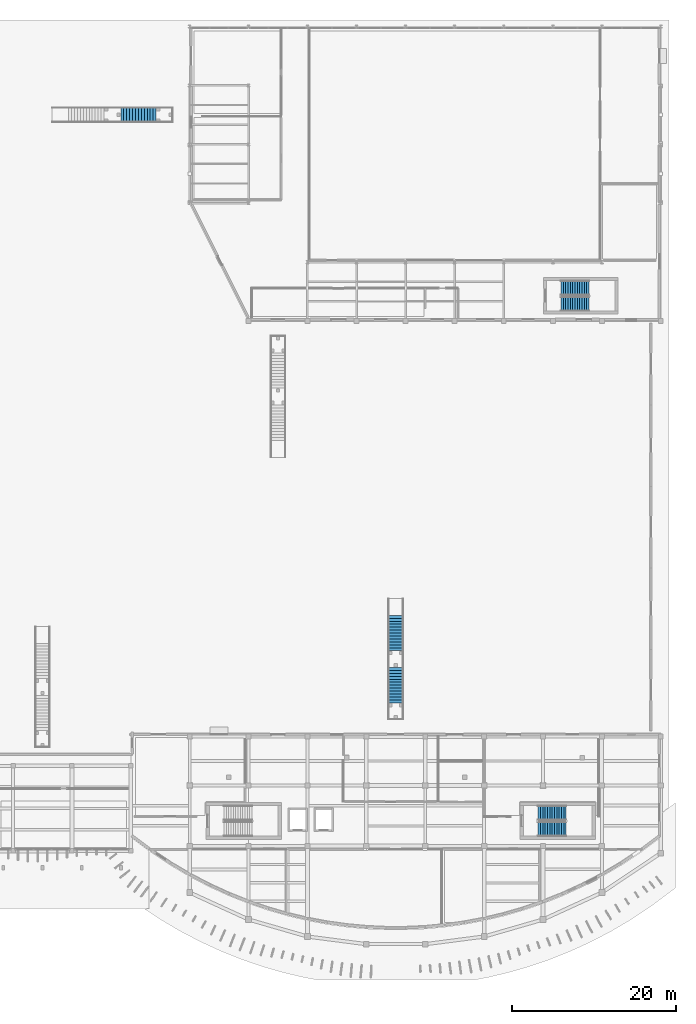
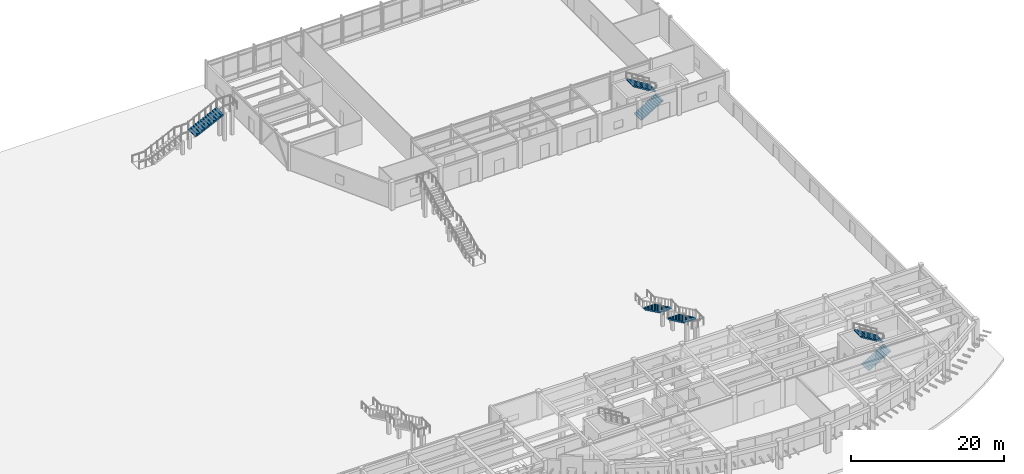
# One storey, part 40 of 58: 7 stair flights, 4 elements without a shape of their own.
"""IFC4 building model written with IfcOpenShell, lengths in metres."""

from ifc_helpers import new_model, si_unit, direction, frame, origin, place, context, subcontext, project, spatial, polyline, outline, extrude, material, type_object, element, aggregate, save


model = new_model("IFC4")

# Units and contexts
model_context = context("Model", 3, precision=1e-05, world=origin(), true_north=direction((0.0, 1.0)))
body_context = subcontext(model_context, "Body", "Model", "MODEL_VIEW")
ifc_project = project(units=[si_unit("LENGTHUNIT", "METRE"), si_unit("AREAUNIT", "SQUARE_METRE"), si_unit("VOLUMEUNIT", "CUBIC_METRE"), si_unit("PLANEANGLEUNIT", "RADIAN"), si_unit("MASSUNIT", "GRAM", prefix="KILO")], contexts=[model_context])

# Site, building, storey
site_placement = place(None, origin())
site = spatial("IfcSite", under=ifc_project, at=site_placement, CompositionType="ELEMENT")
building_placement = place(site_placement, origin())
building = spatial("IfcBuilding", under=site, at=building_placement, Name="Brisavento Harbour Community Centre", CompositionType="ELEMENT")
storey_placement = place(building_placement, origin())
storey = spatial("IfcBuildingStorey", under=building, at=storey_placement, Name="L00", CompositionType="ELEMENT", Elevation=0.0)

# Stair, stair flights
ifc_material_1 = material(Name="Concrete C35/45", Category="concrete")
stair_type_1 = type_object("IfcStairType", Name="STR-DL-4500", PredefinedType="HALF_TURN_STAIR", material=ifc_material_1)
stair_1_placement = place(storey_placement, origin())
stair_1 = element("IfcStair", 1, at=stair_1_placement, inside=storey, type_object=stair_type_1, Name="L00 ST-05", PredefinedType="HALF_TURN_STAIR")
stair_flight_type_1 = type_object("IfcStairFlightType", Name="FLT-DL-4500", PredefinedType="STRAIGHT", material=ifc_material_1)
stair_flight_1_placement = place(storey_placement, frame((157.800048828125, 17.10009765625, 0.0), z_axis=(0.0, 0.0, 1.0), x_axis=(1.0, 0.0, 0.0)))
stair_flight_1 = element("IfcStairFlight", 2, at=stair_flight_1_placement, type_object=stair_flight_type_1, Name="ST-05 flight 1", NumberOfRisers=13, NumberOfTreads=12, PredefinedType="STRAIGHT", RiserHeight=0.173076923, TreadLength=0.285, context=body_context, shape_type="SweptSolid", body=[
    extrude(outline(polyline([(0.0, 0.0), (0.0, 0.173095703125), (0.284912109375, 0.173095703125), (0.284912109375, 0.34619140625), (0.570068359375, 0.34619140625), (0.570068359375, 0.519287109375), (0.85498046875, 0.519287109375), (0.85498046875, 0.6923828125), (1.139892578125, 0.6923828125), (1.139892578125, 0.865478515625), (1.425048828125, 0.865478515625), (1.425048828125, 1.03857421875), (1.7099609375, 1.03857421875), (1.7099609375, 1.21142578125), (1.9951171875, 1.21142578125), (1.9951171875, 1.384521484375), (2.280029296875, 1.384521484375), (2.280029296875, 1.5576171875), (2.56494140625, 1.5576171875), (2.56494140625, 1.730712890625), (2.85009765625, 1.730712890625), (2.85009765625, 1.90380859375), (3.135009765625, 1.90380859375), (3.135009765625, 2.076904296875), (3.419921875, 2.076904296875), (3.419921875, 2.25), (3.419921875, 1.901611328125), (0.288818359375, 0.0), (0.0, 0.0)])), frame((0.0, 0.89990234375, 0.0), z_axis=(0.0, -1.0, 0.0), x_axis=(1.0, 0.0, 0.0)), (0.0, 0.0, 1.0), 1.800048828125),
])
stair_flight_2_placement = place(storey_placement, frame((161.219970703125, 19.050048828125, 2.25), z_axis=(0.0, 0.0, 1.0), x_axis=(-1.0, 0.0, 0.0)))
stair_flight_2 = element("IfcStairFlight", 3, at=stair_flight_2_placement, type_object=stair_flight_type_1, Name="ST-05 flight 2", NumberOfRisers=13, NumberOfTreads=12, PredefinedType="STRAIGHT", RiserHeight=0.173076923, TreadLength=0.285, context=body_context, shape_type="SweptSolid", body=[
    extrude(outline(polyline([(0.0, 0.0), (0.0, 0.173095703125), (0.284912109375, 0.173095703125), (0.284912109375, 0.34619140625), (0.570068359375, 0.34619140625), (0.570068359375, 0.519287109375), (0.85498046875, 0.519287109375), (0.85498046875, 0.6923828125), (1.139892578125, 0.6923828125), (1.139892578125, 0.865478515625), (1.425048828125, 0.865478515625), (1.425048828125, 1.03857421875), (1.7099609375, 1.03857421875), (1.7099609375, 1.21142578125), (1.9951171875, 1.21142578125), (1.9951171875, 1.384521484375), (2.280029296875, 1.384521484375), (2.280029296875, 1.5576171875), (2.56494140625, 1.5576171875), (2.56494140625, 1.730712890625), (2.85009765625, 1.730712890625), (2.85009765625, 1.90380859375), (3.135009765625, 1.90380859375), (3.135009765625, 2.076904296875), (3.419921875, 2.076904296875), (3.419921875, 2.25), (3.419921875, 1.901611328125), (0.288818359375, 0.0), (0.0, 0.0)])), frame((0.0, 0.89990234375, 0.0), z_axis=(0.0, -1.0, 0.0), x_axis=(1.0, 0.0, 0.0)), (0.0, 0.0, 1.0), 1.800048828125),
])
aggregate(stair_1, [stair_flight_1, stair_flight_2])

stair_2_placement = place(storey_placement, origin())
stair_2 = element("IfcStair", 4, at=stair_2_placement, inside=storey, type_object=stair_type_1, Name="L00 ST-06", PredefinedType="HALF_TURN_STAIR")
stair_flight_3_placement = place(storey_placement, frame((160.60009765625, 81.300048828125, 0.0), z_axis=(0.0, 0.0, 1.0), x_axis=(1.0, 0.0, 0.0)))
stair_flight_3 = element("IfcStairFlight", 5, at=stair_flight_3_placement, type_object=stair_flight_type_1, Name="ST-06 flight 1", NumberOfRisers=13, NumberOfTreads=12, PredefinedType="STRAIGHT", RiserHeight=0.173076923, TreadLength=0.285, context=body_context, shape_type="SweptSolid", body=[
    extrude(outline(polyline([(0.0, 0.0), (0.0, 0.173095703125), (0.284912109375, 0.173095703125), (0.284912109375, 0.34619140625), (0.570068359375, 0.34619140625), (0.570068359375, 0.519287109375), (0.85498046875, 0.519287109375), (0.85498046875, 0.6923828125), (1.139892578125, 0.6923828125), (1.139892578125, 0.865478515625), (1.425048828125, 0.865478515625), (1.425048828125, 1.03857421875), (1.7099609375, 1.03857421875), (1.7099609375, 1.21142578125), (1.9951171875, 1.21142578125), (1.9951171875, 1.384521484375), (2.280029296875, 1.384521484375), (2.280029296875, 1.5576171875), (2.56494140625, 1.5576171875), (2.56494140625, 1.730712890625), (2.85009765625, 1.730712890625), (2.85009765625, 1.90380859375), (3.135009765625, 1.90380859375), (3.135009765625, 2.076904296875), (3.419921875, 2.076904296875), (3.419921875, 2.25), (3.419921875, 1.901611328125), (0.288818359375, 0.0), (0.0, 0.0)])), frame((0.0, 0.89990234375, 0.0), z_axis=(0.0, -1.0, 0.0), x_axis=(1.0, 0.0, 0.0)), (0.0, 0.0, 1.0), 1.800048828125),
])
stair_flight_4_placement = place(storey_placement, frame((164.02001953125, 83.25, 2.25), z_axis=(0.0, 0.0, 1.0), x_axis=(-1.0, 0.0, 0.0)))
stair_flight_4 = element("IfcStairFlight", 6, at=stair_flight_4_placement, type_object=stair_flight_type_1, Name="ST-06 flight 2", NumberOfRisers=13, NumberOfTreads=12, PredefinedType="STRAIGHT", RiserHeight=0.173076923, TreadLength=0.285, context=body_context, shape_type="SweptSolid", body=[
    extrude(outline(polyline([(0.0, 0.0), (0.0, 0.173095703125), (0.284912109375, 0.173095703125), (0.284912109375, 0.34619140625), (0.570068359375, 0.34619140625), (0.570068359375, 0.519287109375), (0.85498046875, 0.519287109375), (0.85498046875, 0.6923828125), (1.139892578125, 0.6923828125), (1.139892578125, 0.865478515625), (1.425048828125, 0.865478515625), (1.425048828125, 1.03857421875), (1.7099609375, 1.03857421875), (1.7099609375, 1.21142578125), (1.9951171875, 1.21142578125), (1.9951171875, 1.384521484375), (2.280029296875, 1.384521484375), (2.280029296875, 1.5576171875), (2.56494140625, 1.5576171875), (2.56494140625, 1.730712890625), (2.85009765625, 1.730712890625), (2.85009765625, 1.90380859375), (3.135009765625, 1.90380859375), (3.135009765625, 2.076904296875), (3.419921875, 2.076904296875), (3.419921875, 2.25), (3.419921875, 1.901611328125), (0.288818359375, 0.0), (0.0, 0.0)])), frame((0.0, 0.89990234375, 0.0), z_axis=(0.0, -1.0, 0.0), x_axis=(1.0, 0.0, 0.0)), (0.0, 0.0, 1.0), 1.800048828125),
])
aggregate(stair_2, [stair_flight_3, stair_flight_4])

# Stair, stair flight
ifc_material_2 = material(Name="Precast concrete C40/50", Category="concrete")
stair_type_2 = type_object("IfcStairType", Name="STR-MON-1", PredefinedType="STRAIGHT_RUN_STAIR", material=ifc_material_2)
stair_3_placement = place(storey_placement, origin())
stair_3 = element("IfcStair", 7, at=stair_3_placement, inside=storey, type_object=stair_type_2, Name="L00 monumental courtyard stair MST-06", PredefinedType="STRAIGHT_RUN_STAIR")
stair_flight_type_2 = type_object("IfcStairFlightType", Name="FLT-MON-1", PredefinedType="STRAIGHT", material=ifc_material_2)
stair_flight_5_placement = place(storey_placement, frame((106.77001953125, 104.39990234375, 2.25), z_axis=(0.0, 0.0, 1.0), x_axis=(1.0, 0.0, 0.0)))
stair_flight_5 = element("IfcStairFlight", 8, at=stair_flight_5_placement, type_object=stair_flight_type_2, Name="MST-06 flight 2", NumberOfRisers=13, NumberOfTreads=12, PredefinedType="STRAIGHT", RiserHeight=0.173076923, TreadLength=0.36, context=body_context, shape_type="SweptSolid", body=[
    extrude(outline(polyline([(0.0, 0.0), (0.0, 0.173095703125), (0.360107421875, 0.173095703125), (0.360107421875, 0.34619140625), (0.719970703125, 0.34619140625), (0.719970703125, 0.519287109375), (1.080078125, 0.519287109375), (1.080078125, 0.6923828125), (1.43994140625, 0.6923828125), (1.43994140625, 0.865478515625), (1.800048828125, 0.865478515625), (1.800048828125, 1.03857421875), (2.159912109375, 1.03857421875), (2.159912109375, 1.21142578125), (2.52001953125, 1.21142578125), (2.52001953125, 1.384521484375), (2.8798828125, 1.384521484375), (2.8798828125, 1.5576171875), (3.239990234375, 1.5576171875), (3.239990234375, 1.730712890625), (3.60009765625, 1.730712890625), (3.60009765625, 1.90380859375), (3.9599609375, 1.90380859375), (3.9599609375, 2.076904296875), (4.320068359375, 2.076904296875), (4.320068359375, 2.25), (4.320068359375, 1.877197265625), (0.415283203125, 0.0), (0.0, 0.0)])), frame((0.0, 0.89990234375, 0.0), z_axis=(0.0, -1.0, 0.0), x_axis=(1.0, 0.0, 0.0)), (0.0, 0.0, 1.0), 1.800048828125),
])
aggregate(stair_3, [stair_flight_5])

# Stair, stair flights
stair_type_3 = type_object("IfcStairType", Name="STR-MON-4", PredefinedType="STRAIGHT_RUN_STAIR", material=ifc_material_2)
stair_4_placement = place(storey_placement, origin())
stair_4 = element("IfcStair", 9, at=stair_4_placement, inside=storey, type_object=stair_type_3, Name="L00 monumental courtyard stair MST-05", PredefinedType="STRAIGHT_RUN_STAIR")
stair_flight_type_3 = type_object("IfcStairFlightType", Name="FLT-MON-4", PredefinedType="STRAIGHT", material=ifc_material_2)
stair_flight_6_placement = place(storey_placement, frame((140.39990234375, 43.199951171875, 0.0), z_axis=(0.0, 0.0, 1.0), x_axis=(0.0, -1.0, 0.0)))
stair_flight_6 = element("IfcStairFlight", 10, at=stair_flight_6_placement, type_object=stair_flight_type_3, Name="MST-05 flight 1", NumberOfRisers=13, NumberOfTreads=12, PredefinedType="STRAIGHT", RiserHeight=0.173076923, TreadLength=0.36, context=body_context, shape_type="SweptSolid", body=[
    extrude(outline(polyline([(0.0, 0.0), (0.0, 0.173095703125), (0.360107421875, 0.173095703125), (0.360107421875, 0.34619140625), (0.719970703125, 0.34619140625), (0.719970703125, 0.519287109375), (1.080078125, 0.519287109375), (1.080078125, 0.6923828125), (1.43994140625, 0.6923828125), (1.43994140625, 0.865478515625), (1.800048828125, 0.865478515625), (1.800048828125, 1.03857421875), (2.159912109375, 1.03857421875), (2.159912109375, 1.21142578125), (2.52001953125, 1.21142578125), (2.52001953125, 1.384521484375), (2.8798828125, 1.384521484375), (2.8798828125, 1.5576171875), (3.239990234375, 1.5576171875), (3.239990234375, 1.730712890625), (3.60009765625, 1.730712890625), (3.60009765625, 1.90380859375), (3.9599609375, 1.90380859375), (3.9599609375, 2.076904296875), (4.320068359375, 2.076904296875), (4.320068359375, 2.25), (4.320068359375, 1.877197265625), (0.415283203125, 0.0), (0.0, 0.0)])), frame((0.0, 0.89990234375, 0.0), z_axis=(0.0, -1.0, 0.0), x_axis=(1.0, 0.0, 0.0)), (0.0, 0.0, 1.0), 1.800048828125),
])
stair_flight_7_placement = place(storey_placement, frame((140.39990234375, 36.830078125, 2.25), z_axis=(0.0, 0.0, 1.0), x_axis=(0.0, -1.0, 0.0)))
stair_flight_7 = element("IfcStairFlight", 11, at=stair_flight_7_placement, type_object=stair_flight_type_3, Name="MST-05 flight 2", NumberOfRisers=13, NumberOfTreads=12, PredefinedType="STRAIGHT", RiserHeight=0.173076923, TreadLength=0.36, context=body_context, shape_type="SweptSolid", body=[
    extrude(outline(polyline([(0.0, 0.0), (0.0, 0.173095703125), (0.360107421875, 0.173095703125), (0.360107421875, 0.34619140625), (0.719970703125, 0.34619140625), (0.719970703125, 0.519287109375), (1.080078125, 0.519287109375), (1.080078125, 0.6923828125), (1.43994140625, 0.6923828125), (1.43994140625, 0.865478515625), (1.800048828125, 0.865478515625), (1.800048828125, 1.03857421875), (2.159912109375, 1.03857421875), (2.159912109375, 1.21142578125), (2.52001953125, 1.21142578125), (2.52001953125, 1.384521484375), (2.8798828125, 1.384521484375), (2.8798828125, 1.5576171875), (3.239990234375, 1.5576171875), (3.239990234375, 1.730712890625), (3.60009765625, 1.730712890625), (3.60009765625, 1.90380859375), (3.9599609375, 1.90380859375), (3.9599609375, 2.076904296875), (4.320068359375, 2.076904296875), (4.320068359375, 2.25), (4.320068359375, 1.877197265625), (0.415283203125, 0.0), (0.0, 0.0)])), frame((0.0, 0.89990234375, 0.0), z_axis=(0.0, -1.0, 0.0), x_axis=(1.0, 0.0, 0.0)), (0.0, 0.0, 1.0), 1.800048828125),
])
aggregate(stair_4, [stair_flight_6, stair_flight_7])

save(model, "model.ifc")
